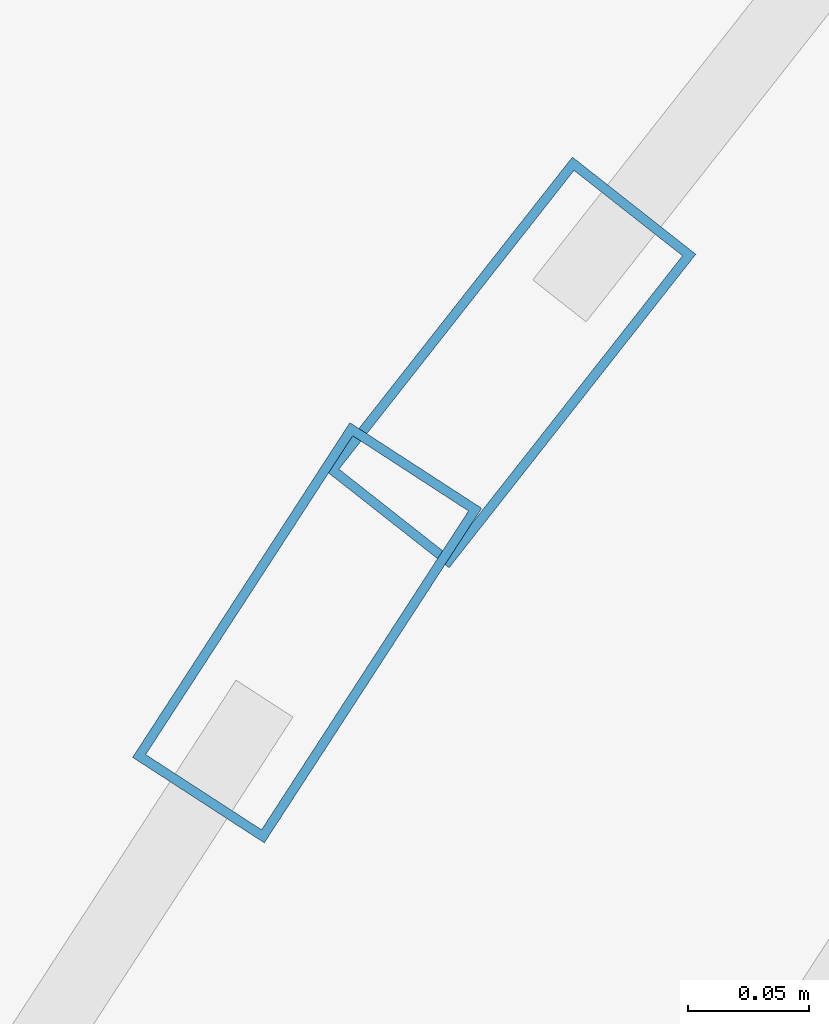
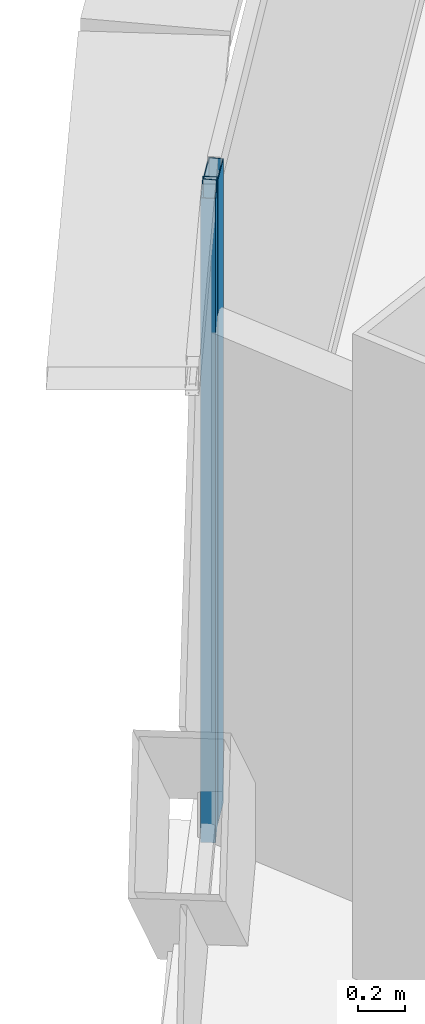
# One storey, part 18 of 42: 2 members, 2 elements without a shape of their own.
"""IFC4 building model written with IfcOpenShell, lengths in metres."""

from ifc_helpers import new_model, si_unit, direction, frame, origin, origin_2d, place, context, subcontext, project, spatial, hollow_rectangle, extrude, source, transform, mapped, material, layer, layer_set, material_profile, profile_set, type_object, element, aggregate, save


model = new_model("IFC4")

# Units and contexts
model_context = context("Model", 3, precision=1e-05, world=origin(), true_north=direction((0.0, 1.0)))
body_context = subcontext(model_context, "Body", "Model", "MODEL_VIEW")
ifc_project = project(units=[si_unit("LENGTHUNIT", "METRE"), si_unit("AREAUNIT", "SQUARE_METRE"), si_unit("VOLUMEUNIT", "CUBIC_METRE"), si_unit("PLANEANGLEUNIT", "RADIAN"), si_unit("MASSUNIT", "GRAM", prefix="KILO"), si_unit("THERMODYNAMICTEMPERATUREUNIT", "KELVIN"), si_unit("POWERUNIT", "WATT")], contexts=[model_context])

# Site, building, storey
site_placement = place(None, origin())
site = spatial("IfcSite", under=ifc_project, at=site_placement, CompositionType="ELEMENT")
building_placement = place(site_placement, origin())
building = spatial("IfcBuilding", under=site, at=building_placement, Name="Yunzhuo Pagoda Commons", CompositionType="ELEMENT")
storey_placement = place(building_placement, frame((0.0, 0.0, 48.550048828125)))
storey = spatial("IfcBuildingStorey", under=building, at=storey_placement, Name="L12", CompositionType="ELEMENT", Elevation=48.550048828125)

# Curtain wall, member
ifc_material = material(Name="Anodized aluminium 6063-T6", Category="aluminium")
ifc_layer = layer(ifc_material, 0.1650390625)
ifc_layer_set = layer_set([ifc_layer], Name="Anodized aluminium 6063-T6")
curtain_wall_type = type_object("IfcCurtainWallType", Name="CW-LOW Low-Zone Ribbon Curtain Wall", PredefinedType="NOTDEFINED", material=ifc_layer_set)
curtain_wall_1_placement = place(storey_placement, origin())
curtain_wall_1 = element("IfcCurtainWall", 1, at=curtain_wall_1_placement, inside=storey, type_object=curtain_wall_type, Name="L12 curtain wall CW-L12-F3B2", PredefinedType="NOTDEFINED")
ifc_material_profile = material_profile(ifc_material, hollow_rectangle(XDim=0.06494140625, YDim=0.1650390625, WallThickness=0.00390625, at=origin_2d()), Name="Anodized aluminium 6063-T6")
ifc_profile_set = profile_set([ifc_material_profile], Name="Anodized aluminium 6063-T6")
member_type = type_object("IfcMemberType", Name="CW-LOW-M Mullion RHS 165x65x4", PredefinedType="MULLION", material=ifc_profile_set)
shared_shape = source(origin(), body_context, "Body", "SweptSolid", [
    extrude(hollow_rectangle(XDim=0.06494140625, YDim=0.1650390625, WallThickness=0.00390625, at=origin_2d()), origin(), (0.0, 0.0, 1.0), 3.369873046875),
])
member_1_placement = place(storey_placement, frame((30.6767578125, 72.54150390625, 0.0), z_axis=(0.0, 0.0, 1.0), x_axis=(0.838709783089, -0.54457864423, 0.0)))
member_1 = element("IfcMember", 2, at=member_1_placement, type_object=member_type, Name="CW mullion 1", PredefinedType="MULLION", context=body_context, shape_type="MappedRepresentation", body=[
    mapped(shared_shape, transform((0.0, 0.0, 0.0), scale=1.0)),
])
aggregate(curtain_wall_1, [member_1])

curtain_wall_2_placement = place(storey_placement, origin())
curtain_wall_2 = element("IfcCurtainWall", 3, at=curtain_wall_2_placement, inside=storey, type_object=curtain_wall_type, Name="L12 curtain wall CW-L12-F3B1", PredefinedType="NOTDEFINED")
member_2_placement = place(storey_placement, frame((30.760986328125, 72.6533203125, 0.0), z_axis=(0.0, 0.0, 1.0), x_axis=(0.785883026265, -0.61837518468, 0.0)))
member_2 = element("IfcMember", 4, at=member_2_placement, type_object=member_type, Name="CW mullion 3", PredefinedType="MULLION", context=body_context, shape_type="MappedRepresentation", body=[
    mapped(shared_shape, transform((0.0, 0.0, 0.0), scale=1.0)),
])
aggregate(curtain_wall_2, [member_2])

save(model, "model.ifc")
